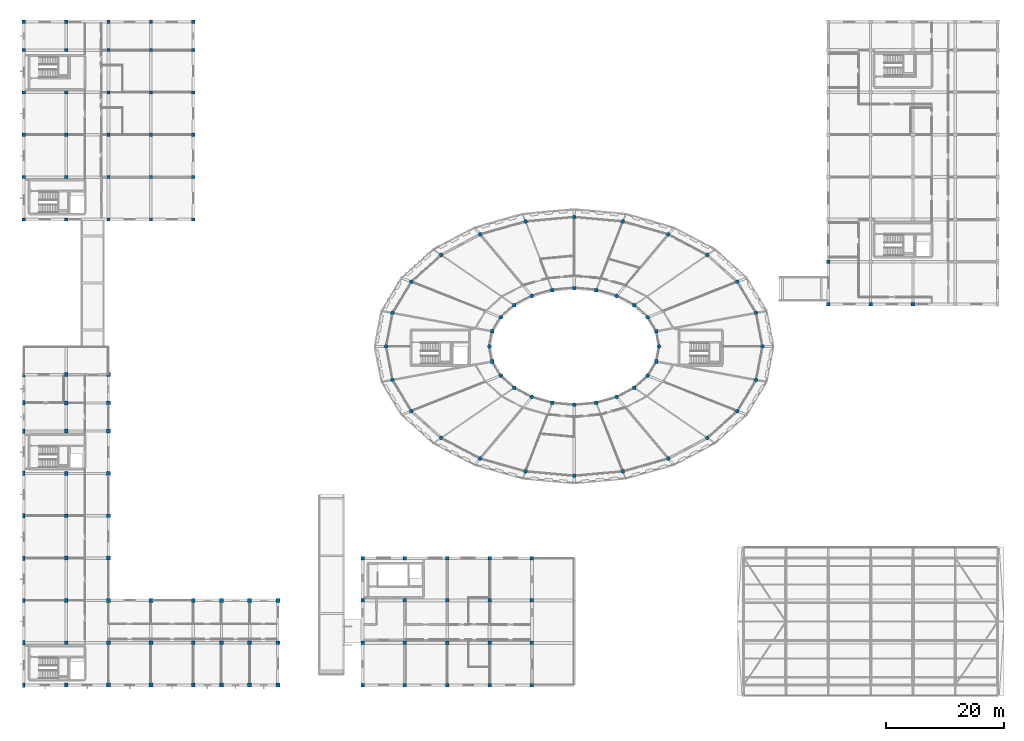
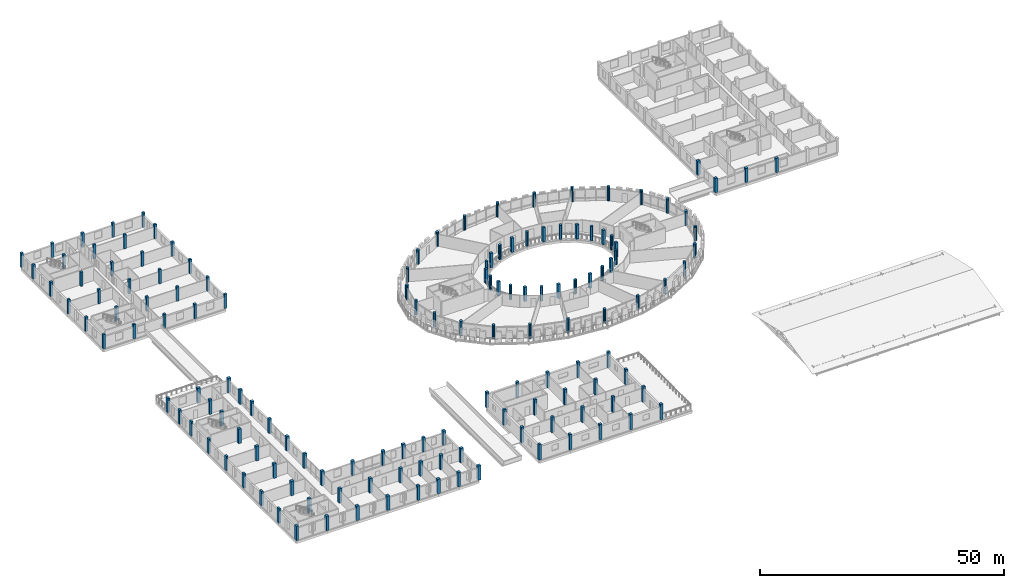
# One storey, part 1 of 93: 144 columns.
"""IFC4 building model written with IfcOpenShell, lengths in metres."""

from ifc_helpers import new_model, si_unit, direction, frame, origin, origin_2d, place, context, subcontext, project, spatial, rectangle, circle, extrude, material, material_profile, profile_set, type_object, element, save


model = new_model("IFC4")

# Units and contexts
model_context = context("Model", 3, precision=1e-05, world=origin(), true_north=direction((0.0, 1.0)))
body_context = subcontext(model_context, "Body", "Model", "MODEL_VIEW")
ifc_project = project(units=[si_unit("LENGTHUNIT", "METRE"), si_unit("AREAUNIT", "SQUARE_METRE"), si_unit("VOLUMEUNIT", "CUBIC_METRE"), si_unit("PLANEANGLEUNIT", "RADIAN"), si_unit("MASSUNIT", "GRAM", prefix="KILO")], contexts=[model_context])

# Site, building, storey
site_placement = place(None, origin())
site = spatial("IfcSite", under=ifc_project, at=site_placement, CompositionType="ELEMENT")
building_placement = place(site_placement, origin())
building = spatial("IfcBuilding", under=site, at=building_placement, Name="Zornivar Specialist Clinic", CompositionType="ELEMENT")
storey_placement = place(building_placement, frame((0.0, 0.0, 8.39990234375)))
storey = spatial("IfcBuildingStorey", under=building, at=storey_placement, Name="L02", CompositionType="ELEMENT", Elevation=8.39990234375)

# Columns
ifc_material_1 = material(Name="Concrete C35/45", Category="concrete")
ifc_material_profile_1 = material_profile(ifc_material_1, rectangle(XDim=0.449951171875, YDim=0.75, at=origin_2d()), Name="RC 450x750")
ifc_profile_set_1 = profile_set([ifc_material_profile_1], Name="Concrete C35/45")
column_type_1 = type_object("IfcColumnType", Name="COL-RC-450x750", PredefinedType="PILASTER", material=ifc_profile_set_1)
for number, where, z_axis, x_axis, name in (
    (1, (0.0, 0.0, 0.0), (0.0, 0.0, 1.0), (1.0, 0.0, 0.0), "col:V2:L02:0_0"),
    (2, (0.0, 7.199951171875, 0.0), (0.0, 0.0, 1.0), (1.0, 0.0, 0.0), "col:V2:L02:0_72"),
    (3, (0.0, 14.39990234375, 0.0), (0.0, 0.0, 1.0), (1.0, 0.0, 0.0), "col:V2:L02:0_144"),
    (4, (0.0, 21.60009765625, 0.0), (0.0, 0.0, 1.0), (1.0, 0.0, 0.0), "col:V2:L02:0_216"),
    (5, (0.0, 28.800048828125, 0.0), (0.0, 0.0, 1.0), (1.0, 0.0, 0.0), "col:V2:L02:0_288"),
    (6, (0.0, 36.0, 0.0), (0.0, 0.0, 1.0), (1.0, 0.0, 0.0), "col:V2:L02:0_360"),
    (7, (0.0, 43.199951171875, 0.0), (0.0, 0.0, 1.0), (1.0, 0.0, 0.0), "col:V2:L02:0_432"),
    (8, (0.0, 48.0, 0.0), (0.0, 0.0, 1.0), (1.0, 0.0, 0.0), "col:V2:L02:0_480"),
    (9, (0.0, 52.800048828125, 0.0), (0.0, 0.0, 1.0), (1.0, 0.0, 0.0), "col:V2:L02:0_528"),
):
    element("IfcColumn", number, at=place(storey_placement, frame(where, z_axis=z_axis, x_axis=x_axis)), inside=storey, type_object=column_type_1, Name=name, PredefinedType="PILASTER", context=body_context, shape_type="SweptSolid", body=[
        extrude(rectangle(XDim=0.449951171875, YDim=0.75, at=origin_2d()), origin(), (0.0, 0.0, 1.0), 3.6201171875),
    ])
ifc_material_2 = material(Name="Concrete C35/45", Category="concrete")
ifc_material_profile_2 = material_profile(ifc_material_2, rectangle(XDim=0.5400390625, YDim=0.5400390625, at=origin_2d()), Name="RC 540x540")
ifc_profile_set_2 = profile_set([ifc_material_profile_2], Name="Concrete C35/45")
column_type_2 = type_object("IfcColumnType", Name="COL-RC-540", PredefinedType="COLUMN", material=ifc_profile_set_2)
for number, where, z_axis, x_axis, name in (
    (10, (0.0, 79.199951171875, 0.0), (0.0, 0.0, 1.0), (1.0, 0.0, 0.0), "col:V5:L02:0_792"),
    (11, (0.0, 86.39990234375, 0.0), (0.0, 0.0, 1.0), (1.0, 0.0, 0.0), "col:V5:L02:0_864"),
    (12, (0.0, 93.60009765625, 0.0), (0.0, 0.0, 1.0), (1.0, 0.0, 0.0), "col:V5:L02:0_936"),
    (13, (0.0, 100.800048828125, 0.0), (0.0, 0.0, 1.0), (1.0, 0.0, 0.0), "col:V5:L02:0_1008"),
    (14, (0.0, 108.0, 0.0), (0.0, 0.0, 1.0), (1.0, 0.0, 0.0), "col:V5:L02:0_1080"),
    (15, (0.0, 112.800048828125, 0.0), (0.0, 0.0, 1.0), (1.0, 0.0, 0.0), "col:V5:L02:0_1128"),
    (16, (7.199951171875, 79.199951171875, 0.0), (0.0, 0.0, 1.0), (1.0, 0.0, 0.0), "col:V5:L02:72_792"),
    (17, (7.199951171875, 86.39990234375, 0.0), (0.0, 0.0, 1.0), (1.0, 0.0, 0.0), "col:V5:L02:72_864"),
    (18, (7.199951171875, 93.60009765625, 0.0), (0.0, 0.0, 1.0), (1.0, 0.0, 0.0), "col:V5:L02:72_936"),
    (19, (7.199951171875, 100.800048828125, 0.0), (0.0, 0.0, 1.0), (1.0, 0.0, 0.0), "col:V5:L02:72_1008"),
    (20, (7.199951171875, 108.0, 0.0), (0.0, 0.0, 1.0), (1.0, 0.0, 0.0), "col:V5:L02:72_1080"),
    (21, (7.199951171875, 112.800048828125, 0.0), (0.0, 0.0, 1.0), (1.0, 0.0, 0.0), "col:V5:L02:72_1128"),
    (22, (14.39990234375, 79.199951171875, 0.0), (0.0, 0.0, 1.0), (1.0, 0.0, 0.0), "col:V5:L02:144_792"),
    (23, (14.39990234375, 86.39990234375, 0.0), (0.0, 0.0, 1.0), (1.0, 0.0, 0.0), "col:V5:L02:144_864"),
    (24, (14.39990234375, 93.60009765625, 0.0), (0.0, 0.0, 1.0), (1.0, 0.0, 0.0), "col:V5:L02:144_936"),
    (25, (14.39990234375, 100.800048828125, 0.0), (0.0, 0.0, 1.0), (1.0, 0.0, 0.0), "col:V5:L02:144_1008"),
    (26, (14.39990234375, 108.0, 0.0), (0.0, 0.0, 1.0), (1.0, 0.0, 0.0), "col:V5:L02:144_1080"),
    (27, (14.39990234375, 112.800048828125, 0.0), (0.0, 0.0, 1.0), (1.0, 0.0, 0.0), "col:V5:L02:144_1128"),
    (28, (21.60009765625, 79.199951171875, 0.0), (0.0, 0.0, 1.0), (1.0, 0.0, 0.0), "col:V5:L02:216_792"),
    (29, (21.60009765625, 86.39990234375, 0.0), (0.0, 0.0, 1.0), (1.0, 0.0, 0.0), "col:V5:L02:216_864"),
    (30, (21.60009765625, 93.60009765625, 0.0), (0.0, 0.0, 1.0), (1.0, 0.0, 0.0), "col:V5:L02:216_936"),
    (31, (21.60009765625, 100.800048828125, 0.0), (0.0, 0.0, 1.0), (1.0, 0.0, 0.0), "col:V5:L02:216_1008"),
    (32, (21.60009765625, 108.0, 0.0), (0.0, 0.0, 1.0), (1.0, 0.0, 0.0), "col:V5:L02:216_1080"),
    (33, (21.60009765625, 112.800048828125, 0.0), (0.0, 0.0, 1.0), (1.0, 0.0, 0.0), "col:V5:L02:216_1128"),
    (34, (28.800048828125, 79.199951171875, 0.0), (0.0, 0.0, 1.0), (1.0, 0.0, 0.0), "col:V5:L02:288_792"),
    (35, (28.800048828125, 86.39990234375, 0.0), (0.0, 0.0, 1.0), (1.0, 0.0, 0.0), "col:V5:L02:288_864"),
    (36, (28.800048828125, 93.60009765625, 0.0), (0.0, 0.0, 1.0), (1.0, 0.0, 0.0), "col:V5:L02:288_936"),
    (37, (28.800048828125, 100.800048828125, 0.0), (0.0, 0.0, 1.0), (1.0, 0.0, 0.0), "col:V5:L02:288_1008"),
    (38, (28.800048828125, 108.0, 0.0), (0.0, 0.0, 1.0), (1.0, 0.0, 0.0), "col:V5:L02:288_1080"),
    (39, (28.800048828125, 112.800048828125, 0.0), (0.0, 0.0, 1.0), (1.0, 0.0, 0.0), "col:V5:L02:288_1128"),
):
    element("IfcColumn", number, at=place(storey_placement, frame(where, z_axis=z_axis, x_axis=x_axis)), inside=storey, type_object=column_type_2, Name=name, PredefinedType="COLUMN", context=body_context, shape_type="SweptSolid", body=[
        extrude(rectangle(XDim=0.5400390625, YDim=0.5400390625, at=origin_2d()), origin(), (0.0, 0.0, 1.0), 3.590087890625),
    ])
ifc_material_3 = material(Name="Concrete C35/45", Category="concrete")
ifc_material_profile_3 = material_profile(ifc_material_3, rectangle(XDim=0.60009765625, YDim=0.60009765625, at=origin_2d()), Name="RC 600x600")
ifc_profile_set_3 = profile_set([ifc_material_profile_3], Name="Concrete C35/45")
column_type_3 = type_object("IfcColumnType", Name="COL-RC-600", PredefinedType="COLUMN", material=ifc_profile_set_3)
for number, where, z_axis, x_axis, name in (
    (40, (57.60009765625, 0.0, 0.0), (0.0, 0.0, 1.0), (1.0, 0.0, 0.0), "col:V3:L02:576_0"),
    (41, (57.60009765625, 7.199951171875, 0.0), (0.0, 0.0, 1.0), (1.0, 0.0, 0.0), "col:V3:L02:576_72"),
    (42, (57.60009765625, 14.39990234375, 0.0), (0.0, 0.0, 1.0), (1.0, 0.0, 0.0), "col:V3:L02:576_144"),
    (43, (57.60009765625, 21.60009765625, 0.0), (0.0, 0.0, 1.0), (1.0, 0.0, 0.0), "col:V3:L02:576_216"),
    (44, (64.800048828125, 0.0, 0.0), (0.0, 0.0, 1.0), (1.0, 0.0, 0.0), "col:V3:L02:648_0"),
    (45, (64.800048828125, 7.199951171875, 0.0), (0.0, 0.0, 1.0), (1.0, 0.0, 0.0), "col:V3:L02:648_72"),
    (46, (64.800048828125, 14.39990234375, 0.0), (0.0, 0.0, 1.0), (1.0, 0.0, 0.0), "col:V3:L02:648_144"),
    (47, (64.800048828125, 21.60009765625, 0.0), (0.0, 0.0, 1.0), (1.0, 0.0, 0.0), "col:V3:L02:648_216"),
    (48, (72.0, 0.0, 0.0), (0.0, 0.0, 1.0), (1.0, 0.0, 0.0), "col:V3:L02:720_0"),
    (49, (72.0, 7.199951171875, 0.0), (0.0, 0.0, 1.0), (1.0, 0.0, 0.0), "col:V3:L02:720_72"),
    (50, (72.0, 14.39990234375, 0.0), (0.0, 0.0, 1.0), (1.0, 0.0, 0.0), "col:V3:L02:720_144"),
    (51, (72.0, 21.60009765625, 0.0), (0.0, 0.0, 1.0), (1.0, 0.0, 0.0), "col:V3:L02:720_216"),
    (52, (79.199951171875, 0.0, 0.0), (0.0, 0.0, 1.0), (1.0, 0.0, 0.0), "col:V3:L02:792_0"),
    (53, (79.199951171875, 7.199951171875, 0.0), (0.0, 0.0, 1.0), (1.0, 0.0, 0.0), "col:V3:L02:792_72"),
    (54, (79.199951171875, 14.39990234375, 0.0), (0.0, 0.0, 1.0), (1.0, 0.0, 0.0), "col:V3:L02:792_144"),
    (55, (79.199951171875, 21.60009765625, 0.0), (0.0, 0.0, 1.0), (1.0, 0.0, 0.0), "col:V3:L02:792_216"),
    (56, (86.39990234375, 0.0, 0.0), (0.0, 0.0, 1.0), (1.0, 0.0, 0.0), "col:V3:L02:864_0"),
    (57, (86.39990234375, 7.199951171875, 0.0), (0.0, 0.0, 1.0), (1.0, 0.0, 0.0), "col:V3:L02:864_72"),
    (58, (86.39990234375, 14.39990234375, 0.0), (0.0, 0.0, 1.0), (1.0, 0.0, 0.0), "col:V3:L02:864_144"),
    (59, (86.39990234375, 21.60009765625, 0.0), (0.0, 0.0, 1.0), (1.0, 0.0, 0.0), "col:V3:L02:864_216"),
):
    element("IfcColumn", number, at=place(storey_placement, frame(where, z_axis=z_axis, x_axis=x_axis)), inside=storey, type_object=column_type_3, Name=name, PredefinedType="COLUMN", context=body_context, shape_type="SweptSolid", body=[
        extrude(rectangle(XDim=0.60009765625, YDim=0.60009765625, at=origin_2d()), origin(), (0.0, 0.0, 1.0), 3.900146484375),
    ])
for number, where, z_axis, x_axis, name in (
    (60, (107.509033203125, 60.162109375, 0.0), (0.0, 0.0, 1.0), (1.0, 0.0, 0.0), "col:V1:L02:in:01"),
    (61, (103.781982421875, 64.60009765625, 0.0), (0.0, 0.0, 1.0), (1.0, 0.0, 0.0), "col:V1:L02:in:03"),
    (62, (97.326904296875, 67.1630859375, 0.0), (0.0, 0.0, 1.0), (1.0, 0.0, 0.0), "col:V1:L02:in:05"),
    (63, (89.873046875, 67.1630859375, 0.0), (0.0, 0.0, 1.0), (1.0, 0.0, 0.0), "col:V1:L02:in:07"),
    (64, (83.41796875, 64.60009765625, 0.0), (0.0, 0.0, 1.0), (1.0, 0.0, 0.0), "col:V1:L02:in:09"),
    (65, (79.69091796875, 60.162109375, 0.0), (0.0, 0.0, 1.0), (1.0, 0.0, 0.0), "col:V1:L02:in:11"),
    (66, (79.69091796875, 55.0380859375, 0.0), (0.0, 0.0, 1.0), (1.0, 0.0, 0.0), "col:V1:L02:in:13"),
    (67, (83.41796875, 50.60009765625, 0.0), (0.0, 0.0, 1.0), (1.0, 0.0, 0.0), "col:V1:L02:in:15"),
    (68, (89.873046875, 48.037109375, 0.0), (0.0, 0.0, 1.0), (1.0, 0.0, 0.0), "col:V1:L02:in:17"),
    (69, (97.326904296875, 48.037109375, 0.0), (0.0, 0.0, 1.0), (1.0, 0.0, 0.0), "col:V1:L02:in:19"),
    (70, (103.781982421875, 50.60009765625, 0.0), (0.0, 0.0, 1.0), (1.0, 0.0, 0.0), "col:V1:L02:in:21"),
    (71, (107.509033203125, 55.0380859375, 0.0), (0.0, 0.0, 1.0), (1.0, 0.0, 0.0), "col:V1:L02:in:23"),
):
    element("IfcColumn", number, at=place(storey_placement, frame(where, z_axis=z_axis, x_axis=x_axis)), inside=storey, type_object=column_type_3, Name=name, PredefinedType="COLUMN", context=body_context, shape_type="SweptSolid", body=[
        extrude(rectangle(XDim=0.60009765625, YDim=0.60009765625, at=origin_2d()), origin(), (0.0, 0.0, 1.0), 3.610107421875),
    ])
ifc_material_4 = material(Name="Concrete C35/45", Category="concrete")
ifc_material_profile_4 = material_profile(ifc_material_4, rectangle(XDim=0.6201171875, YDim=0.6201171875, at=origin_2d()), Name="RC 620x620")
ifc_profile_set_4 = profile_set([ifc_material_profile_4], Name="Concrete C35/45")
column_type_4 = type_object("IfcColumnType", Name="COL-RC-620", PredefinedType="COLUMN", material=ifc_profile_set_4)
for number, where, z_axis, x_axis, name in (
    (72, (136.800048828125, 64.800048828125, 0.0), (0.0, 0.0, 1.0), (1.0, 0.0, 0.0), "col:V6:L02:1368_648"),
    (73, (136.800048828125, 72.0, 0.0), (0.0, 0.0, 1.0), (1.0, 0.0, 0.0), "col:V6:L02:1368_720"),
    (74, (144.0, 64.800048828125, 0.0), (0.0, 0.0, 1.0), (1.0, 0.0, 0.0), "col:V6:L02:1440_648"),
    (75, (151.199951171875, 64.800048828125, 0.0), (0.0, 0.0, 1.0), (1.0, 0.0, 0.0), "col:V6:L02:1512_648"),
):
    element("IfcColumn", number, at=place(storey_placement, frame(where, z_axis=z_axis, x_axis=x_axis)), inside=storey, type_object=column_type_4, Name=name, PredefinedType="COLUMN", context=body_context, shape_type="SweptSolid", body=[
        extrude(rectangle(XDim=0.6201171875, YDim=0.6201171875, at=origin_2d()), origin(), (0.0, 0.0, 1.0), 3.580078125),
    ])
ifc_material_5 = material(Name="Concrete C35/45", Category="concrete")
ifc_material_profile_5 = material_profile(ifc_material_5, rectangle(XDim=0.64990234375, YDim=0.64990234375, at=origin_2d()), Name="RC 650x650")
ifc_profile_set_5 = profile_set([ifc_material_profile_5], Name="Concrete C35/45")
column_type_5 = type_object("IfcColumnType", Name="COL-RC-650", PredefinedType="COLUMN", material=ifc_profile_set_5)
for number, where, z_axis, x_axis, name in (
    (76, (7.199951171875, 0.0, 0.0), (0.0, 0.0, 1.0), (1.0, 0.0, 0.0), "col:V2:L02:72_0"),
    (77, (7.199951171875, 7.199951171875, 0.0), (0.0, 0.0, 1.0), (1.0, 0.0, 0.0), "col:V2:L02:72_72"),
    (78, (7.199951171875, 14.39990234375, 0.0), (0.0, 0.0, 1.0), (1.0, 0.0, 0.0), "col:V2:L02:72_144"),
    (79, (7.199951171875, 21.60009765625, 0.0), (0.0, 0.0, 1.0), (1.0, 0.0, 0.0), "col:V2:L02:72_216"),
    (80, (7.199951171875, 28.800048828125, 0.0), (0.0, 0.0, 1.0), (1.0, 0.0, 0.0), "col:V2:L02:72_288"),
    (81, (7.199951171875, 36.0, 0.0), (0.0, 0.0, 1.0), (1.0, 0.0, 0.0), "col:V2:L02:72_360"),
    (82, (7.199951171875, 43.199951171875, 0.0), (0.0, 0.0, 1.0), (1.0, 0.0, 0.0), "col:V2:L02:72_432"),
    (83, (7.199951171875, 48.0, 0.0), (0.0, 0.0, 1.0), (1.0, 0.0, 0.0), "col:V2:L02:72_480"),
    (84, (7.199951171875, 52.800048828125, 0.0), (0.0, 0.0, 1.0), (1.0, 0.0, 0.0), "col:V2:L02:72_528"),
    (85, (14.39990234375, 0.0, 0.0), (0.0, 0.0, 1.0), (1.0, 0.0, 0.0), "col:V2:L02:144_0"),
    (86, (14.39990234375, 7.199951171875, 0.0), (0.0, 0.0, 1.0), (1.0, 0.0, 0.0), "col:V2:L02:144_72"),
    (87, (14.39990234375, 14.39990234375, 0.0), (0.0, 0.0, 1.0), (1.0, 0.0, 0.0), "col:V2:L02:144_144"),
    (88, (14.39990234375, 21.60009765625, 0.0), (0.0, 0.0, 1.0), (1.0, 0.0, 0.0), "col:V2:L02:144_216"),
    (89, (14.39990234375, 28.800048828125, 0.0), (0.0, 0.0, 1.0), (1.0, 0.0, 0.0), "col:V2:L02:144_288"),
    (90, (14.39990234375, 36.0, 0.0), (0.0, 0.0, 1.0), (1.0, 0.0, 0.0), "col:V2:L02:144_360"),
    (91, (14.39990234375, 43.199951171875, 0.0), (0.0, 0.0, 1.0), (1.0, 0.0, 0.0), "col:V2:L02:144_432"),
    (92, (14.39990234375, 48.0, 0.0), (0.0, 0.0, 1.0), (1.0, 0.0, 0.0), "col:V2:L02:144_480"),
    (93, (14.39990234375, 52.800048828125, 0.0), (0.0, 0.0, 1.0), (1.0, 0.0, 0.0), "col:V2:L02:144_528"),
    (94, (21.60009765625, 0.0, 0.0), (0.0, 0.0, 1.0), (1.0, 0.0, 0.0), "col:V2:L02:216_0"),
    (95, (21.60009765625, 7.199951171875, 0.0), (0.0, 0.0, 1.0), (1.0, 0.0, 0.0), "col:V2:L02:216_72"),
    (96, (21.60009765625, 14.39990234375, 0.0), (0.0, 0.0, 1.0), (1.0, 0.0, 0.0), "col:V2:L02:216_144"),
    (97, (28.800048828125, 0.0, 0.0), (0.0, 0.0, 1.0), (1.0, 0.0, 0.0), "col:V2:L02:288_0"),
    (98, (28.800048828125, 7.199951171875, 0.0), (0.0, 0.0, 1.0), (1.0, 0.0, 0.0), "col:V2:L02:288_72"),
    (99, (28.800048828125, 14.39990234375, 0.0), (0.0, 0.0, 1.0), (1.0, 0.0, 0.0), "col:V2:L02:288_144"),
    (100, (33.60009765625, 0.0, 0.0), (0.0, 0.0, 1.0), (1.0, 0.0, 0.0), "col:V2:L02:336_0"),
    (101, (33.60009765625, 7.199951171875, 0.0), (0.0, 0.0, 1.0), (1.0, 0.0, 0.0), "col:V2:L02:336_72"),
    (102, (33.60009765625, 14.39990234375, 0.0), (0.0, 0.0, 1.0), (1.0, 0.0, 0.0), "col:V2:L02:336_144"),
    (103, (38.39990234375, 0.0, 0.0), (0.0, 0.0, 1.0), (1.0, 0.0, 0.0), "col:V2:L02:384_0"),
    (104, (38.39990234375, 7.199951171875, 0.0), (0.0, 0.0, 1.0), (1.0, 0.0, 0.0), "col:V2:L02:384_72"),
    (105, (38.39990234375, 14.39990234375, 0.0), (0.0, 0.0, 1.0), (1.0, 0.0, 0.0), "col:V2:L02:384_144"),
    (106, (43.199951171875, 0.0, 0.0), (0.0, 0.0, 1.0), (1.0, 0.0, 0.0), "col:V2:L02:432_0"),
    (107, (43.199951171875, 7.199951171875, 0.0), (0.0, 0.0, 1.0), (1.0, 0.0, 0.0), "col:V2:L02:432_72"),
    (108, (43.199951171875, 14.39990234375, 0.0), (0.0, 0.0, 1.0), (1.0, 0.0, 0.0), "col:V2:L02:432_144"),
):
    element("IfcColumn", number, at=place(storey_placement, frame(where, z_axis=z_axis, x_axis=x_axis)), inside=storey, type_object=column_type_5, Name=name, PredefinedType="COLUMN", context=body_context, shape_type="SweptSolid", body=[
        extrude(rectangle(XDim=0.64990234375, YDim=0.64990234375, at=origin_2d()), origin(), (0.0, 0.0, 1.0), 3.6201171875),
    ])
ifc_material_6 = material(Name="Concrete C35/45", Category="concrete")
ifc_material_profile_6 = material_profile(ifc_material_6, circle(Radius=0.324951171875, at=origin_2d()), Name="RC D650")
ifc_profile_set_6 = profile_set([ifc_material_profile_6], Name="Concrete C35/45")
column_type_6 = type_object("IfcColumnType", Name="COL-RC-D650", PredefinedType="COLUMN", material=ifc_profile_set_6)
for number, where, z_axis, x_axis, name in (
    (109, (125.60009765625, 57.60009765625, 0.0), (0.0, 0.0, 1.0), (1.0, 0.0, 0.0), "col:V1:L02:out:00"),
    (110, (108.0, 57.60009765625, 0.0), (0.0, 0.0, 1.0), (1.0, 0.0, 0.0), "col:V1:L02:in:00"),
    (111, (124.510009765625, 63.2939453125, 0.0), (0.0, 0.0, 1.0), (1.0, 0.0, 0.0), "col:V1:L02:out:01"),
    (112, (121.31298828125, 68.60009765625, 0.0), (0.0, 0.0, 1.0), (1.0, 0.0, 0.0), "col:V1:L02:out:02"),
    (113, (106.071044921875, 62.550048828125, 0.0), (0.0, 0.0, 1.0), (1.0, 0.0, 0.0), "col:V1:L02:in:02"),
    (114, (116.22705078125, 73.156005859375, 0.0), (0.0, 0.0, 1.0), (1.0, 0.0, 0.0), "col:V1:L02:out:03"),
    (115, (109.60009765625, 76.653076171875, 0.0), (0.0, 0.0, 1.0), (1.0, 0.0, 0.0), "col:V1:L02:out:04"),
    (116, (100.800048828125, 66.174072265625, 0.0), (0.0, 0.0, 1.0), (1.0, 0.0, 0.0), "col:V1:L02:in:04"),
    (117, (101.882080078125, 78.85009765625, 0.0), (0.0, 0.0, 1.0), (1.0, 0.0, 0.0), "col:V1:L02:out:05"),
    (118, (93.60009765625, 79.60009765625, 0.0), (0.0, 0.0, 1.0), (1.0, 0.0, 0.0), "col:V1:L02:out:06"),
    (119, (93.60009765625, 67.5, 0.0), (0.0, 0.0, 1.0), (1.0, 0.0, 0.0), "col:V1:L02:in:06"),
    (120, (85.318115234375, 78.85009765625, 0.0), (0.0, 0.0, 1.0), (1.0, 0.0, 0.0), "col:V1:L02:out:07"),
    (121, (77.60009765625, 76.653076171875, 0.0), (0.0, 0.0, 1.0), (1.0, 0.0, 0.0), "col:V1:L02:out:08"),
    (122, (86.39990234375, 66.174072265625, 0.0), (0.0, 0.0, 1.0), (1.0, 0.0, 0.0), "col:V1:L02:in:08"),
    (123, (70.972900390625, 73.156005859375, 0.0), (0.0, 0.0, 1.0), (1.0, 0.0, 0.0), "col:V1:L02:out:09"),
    (124, (65.886962890625, 68.60009765625, 0.0), (0.0, 0.0, 1.0), (1.0, 0.0, 0.0), "col:V1:L02:out:10"),
    (125, (81.12890625, 62.550048828125, 0.0), (0.0, 0.0, 1.0), (1.0, 0.0, 0.0), "col:V1:L02:in:10"),
    (126, (62.68994140625, 63.2939453125, 0.0), (0.0, 0.0, 1.0), (1.0, 0.0, 0.0), "col:V1:L02:out:11"),
    (127, (61.60009765625, 57.60009765625, 0.0), (0.0, 0.0, 1.0), (1.0, 0.0, 0.0), "col:V1:L02:out:12"),
    (128, (79.199951171875, 57.60009765625, 0.0), (0.0, 0.0, 1.0), (1.0, 0.0, 0.0), "col:V1:L02:in:12"),
    (129, (62.68994140625, 51.906005859375, 0.0), (0.0, 0.0, 1.0), (1.0, 0.0, 0.0), "col:V1:L02:out:13"),
    (130, (65.886962890625, 46.60009765625, 0.0), (0.0, 0.0, 1.0), (1.0, 0.0, 0.0), "col:V1:L02:out:14"),
    (131, (81.12890625, 52.64990234375, 0.0), (0.0, 0.0, 1.0), (1.0, 0.0, 0.0), "col:V1:L02:in:14"),
    (132, (70.972900390625, 42.0439453125, 0.0), (0.0, 0.0, 1.0), (1.0, 0.0, 0.0), "col:V1:L02:out:15"),
    (133, (77.60009765625, 38.547119140625, 0.0), (0.0, 0.0, 1.0), (1.0, 0.0, 0.0), "col:V1:L02:out:16"),
    (134, (86.39990234375, 49.02587890625, 0.0), (0.0, 0.0, 1.0), (1.0, 0.0, 0.0), "col:V1:L02:in:16"),
    (135, (85.318115234375, 36.35009765625, 0.0), (0.0, 0.0, 1.0), (1.0, 0.0, 0.0), "col:V1:L02:out:17"),
    (136, (93.60009765625, 35.60009765625, 0.0), (0.0, 0.0, 1.0), (1.0, 0.0, 0.0), "col:V1:L02:out:18"),
    (137, (93.60009765625, 47.699951171875, 0.0), (0.0, 0.0, 1.0), (1.0, 0.0, 0.0), "col:V1:L02:in:18"),
    (138, (101.882080078125, 36.35009765625, 0.0), (0.0, 0.0, 1.0), (1.0, 0.0, 0.0), "col:V1:L02:out:19"),
    (139, (109.60009765625, 38.547119140625, 0.0), (0.0, 0.0, 1.0), (1.0, 0.0, 0.0), "col:V1:L02:out:20"),
    (140, (100.800048828125, 49.02587890625, 0.0), (0.0, 0.0, 1.0), (1.0, 0.0, 0.0), "col:V1:L02:in:20"),
    (141, (116.22705078125, 42.0439453125, 0.0), (0.0, 0.0, 1.0), (1.0, 0.0, 0.0), "col:V1:L02:out:21"),
    (142, (121.31298828125, 46.60009765625, 0.0), (0.0, 0.0, 1.0), (1.0, 0.0, 0.0), "col:V1:L02:out:22"),
    (143, (106.071044921875, 52.64990234375, 0.0), (0.0, 0.0, 1.0), (1.0, 0.0, 0.0), "col:V1:L02:in:22"),
    (144, (124.510009765625, 51.906005859375, 0.0), (0.0, 0.0, 1.0), (1.0, 0.0, 0.0), "col:V1:L02:out:23"),
):
    element("IfcColumn", number, at=place(storey_placement, frame(where, z_axis=z_axis, x_axis=x_axis)), inside=storey, type_object=column_type_6, Name=name, PredefinedType="COLUMN", context=body_context, shape_type="SweptSolid", body=[
        extrude(circle(Radius=0.324951171875, at=origin_2d()), origin(), (0.0, 0.0, 1.0), 3.610107421875),
    ])

save(model, "model.ifc")
